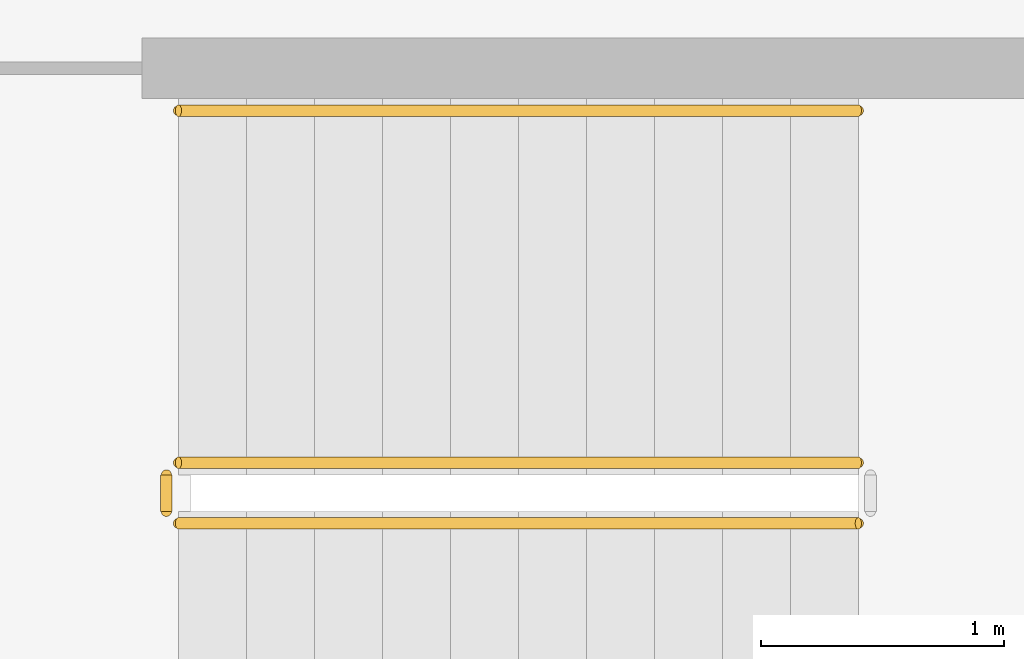
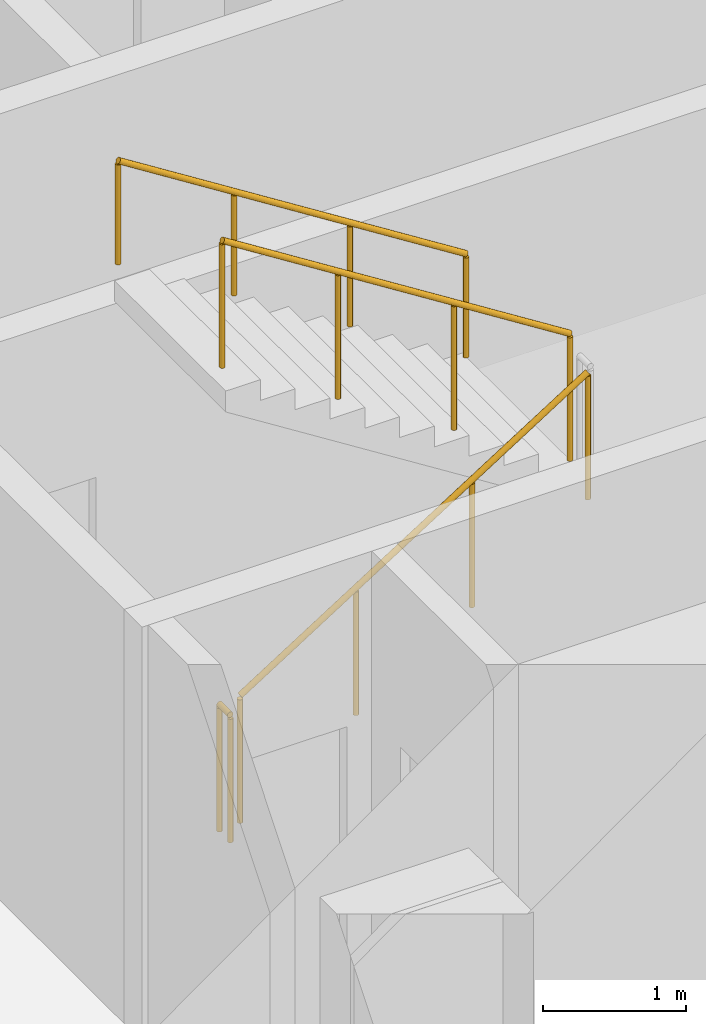
# One storey, part 11 of 18: 4 railings.
"""IFC4 building model written with IfcOpenShell, lengths in metres."""

from ifc_helpers import new_model, si_unit, direction, frame, origin, origin_2d, place, context, subcontext, project, spatial, circle, extrude, material, type_object, element, save


model = new_model("IFC4")

# Units and contexts
model_context = context("Model", 3, precision=1e-05, world=origin(), true_north=direction((0.0, 1.0)))
body_context = subcontext(model_context, "Body", "Model", "MODEL_VIEW")
ifc_project = project(units=[si_unit("LENGTHUNIT", "METRE"), si_unit("AREAUNIT", "SQUARE_METRE"), si_unit("VOLUMEUNIT", "CUBIC_METRE"), si_unit("PLANEANGLEUNIT", "RADIAN"), si_unit("MASSUNIT", "GRAM", prefix="KILO")], contexts=[model_context])

# Site, building, storey
site_placement = place(None, origin())
site = spatial("IfcSite", under=ifc_project, at=site_placement, CompositionType="ELEMENT")
building_placement = place(site_placement, origin())
building = spatial("IfcBuilding", under=site, at=building_placement, Name="Dhurran Vertical Campus", CompositionType="ELEMENT")
storey_placement = place(building_placement, frame((0.0, 0.0, 104.699951171875)))
storey = spatial("IfcBuildingStorey", under=building, at=storey_placement, Name="L25", CompositionType="ELEMENT", Elevation=104.699951171875)

# Railings
ifc_material_1 = material(Name="Stainless steel balustrade", Category="steel")
railing_type_1 = type_object("IfcRailingType", Name="co-RL-GUARD-1100", PredefinedType="GUARDRAIL", material=ifc_material_1)
railing_1_placement = place(storey_placement, frame((-11.10009765625, -9.14990234375, 0.17724609375)))
element("IfcRailing", 1, at=railing_1_placement, inside=storey, type_object=railing_type_1, Name="L25 ST3 stair guard 1", PredefinedType="GUARDRAIL", context=body_context, shape_type="SweptSolid", body=[
    extrude(circle(Radius=0.02392578125, at=origin_2d()), frame((0.0, 0.0, 1.076171875), z_axis=(0.844908973607, 0.0, 0.534910110503), x_axis=(0.0, 1.0, 0.0)), (0.0, 0.0, 1.0), 3.31396484375),
    extrude(circle(Radius=0.02099609375, at=origin_2d()), origin(), (0.0, 0.0, 1.0), 1.052001953125),
    extrude(circle(Radius=0.02099609375, at=origin_2d()), frame((0.933349609375, 0.0, 0.5908203125)), (0.0, 0.0, 1.0), 1.052001953125),
    extrude(circle(Radius=0.02099609375, at=origin_2d()), frame((1.86669921875, 0.0, 1.181884765625)), (0.0, 0.0, 1.0), 1.052001953125),
    extrude(circle(Radius=0.02099609375, at=origin_2d()), frame((2.800048828125, 0.0, 1.772705078125)), (0.0, 0.0, 1.0), 1.052001953125),
])
railing_2_placement = place(storey_placement, frame((-8.300048828125, -8.89990234375, 2.12744140625)))
element("IfcRailing", 2, at=railing_2_placement, inside=storey, type_object=railing_type_1, Name="L25 ST3 stair guard 3", PredefinedType="GUARDRAIL", context=body_context, shape_type="SweptSolid", body=[
    extrude(circle(Radius=0.02392578125, at=origin_2d()), frame((0.0, 0.0, 1.076171875), z_axis=(-0.844908973607, 0.0, 0.534910110503), x_axis=(0.0, -1.0, 0.0)), (0.0, 0.0, 1.0), 3.31396484375),
    extrude(circle(Radius=0.02099609375, at=origin_2d()), origin(), (0.0, 0.0, 1.0), 1.052001953125),
    extrude(circle(Radius=0.02099609375, at=origin_2d()), frame((-0.933349609375, 0.0, 0.5908203125)), (0.0, 0.0, 1.0), 1.052001953125),
    extrude(circle(Radius=0.02099609375, at=origin_2d()), frame((-1.86669921875, 0.0, 1.181884765625)), (0.0, 0.0, 1.0), 1.052001953125),
    extrude(circle(Radius=0.02099609375, at=origin_2d()), frame((-2.800048828125, 0.0, 1.772705078125)), (0.0, 0.0, 1.0), 1.052001953125),
])
railing_3_placement = place(storey_placement, frame((-11.14990234375, -9.10009765625, 0.0)))
element("IfcRailing", 3, at=railing_3_placement, inside=storey, type_object=railing_type_1, Name="L25 ST3 stair guard 4", PredefinedType="GUARDRAIL", context=body_context, shape_type="SweptSolid", body=[
    extrude(circle(Radius=0.02392578125, at=origin_2d()), frame((0.0, 0.0, 1.076171875), z_axis=(0.0, 1.0, 0.0), x_axis=(-1.0, 0.0, 0.0)), (0.0, 0.0, 1.0), 0.150146484375),
    extrude(circle(Radius=0.02099609375, at=origin_2d()), origin(), (0.0, 0.0, 1.0), 1.052001953125),
    extrude(circle(Radius=0.02099609375, at=origin_2d()), frame((0.0, 0.150146484375, 0.0)), (0.0, 0.0, 1.0), 1.052001953125),
])
ifc_material_2 = material(Name="Stainless steel handrail", Category="steel")
railing_type_2 = type_object("IfcRailingType", Name="co-RL-HANDRAIL-900", PredefinedType="HANDRAIL", material=ifc_material_2)
railing_4_placement = place(storey_placement, frame((-8.300048828125, -7.449951171875, 2.12744140625)))
element("IfcRailing", 4, at=railing_4_placement, inside=storey, type_object=railing_type_2, Name="L25 ST3 stair handrail 2", PredefinedType="HANDRAIL", context=body_context, shape_type="SweptSolid", body=[
    extrude(circle(Radius=0.02392578125, at=origin_2d()), frame((0.0, 0.0, 0.8759765625), z_axis=(-0.844908973607, 0.0, 0.534910110503), x_axis=(0.0, -1.0, 0.0)), (0.0, 0.0, 1.0), 3.31396484375),
    extrude(circle(Radius=0.02099609375, at=origin_2d()), origin(), (0.0, 0.0, 1.0), 0.851806640625),
    extrude(circle(Radius=0.02099609375, at=origin_2d()), frame((-0.933349609375, 0.0, 0.5908203125)), (0.0, 0.0, 1.0), 0.851806640625),
    extrude(circle(Radius=0.02099609375, at=origin_2d()), frame((-1.86669921875, 0.0, 1.181884765625)), (0.0, 0.0, 1.0), 0.851806640625),
    extrude(circle(Radius=0.02099609375, at=origin_2d()), frame((-2.800048828125, 0.0, 1.772705078125)), (0.0, 0.0, 1.0), 0.851806640625),
])

save(model, "model.ifc")
